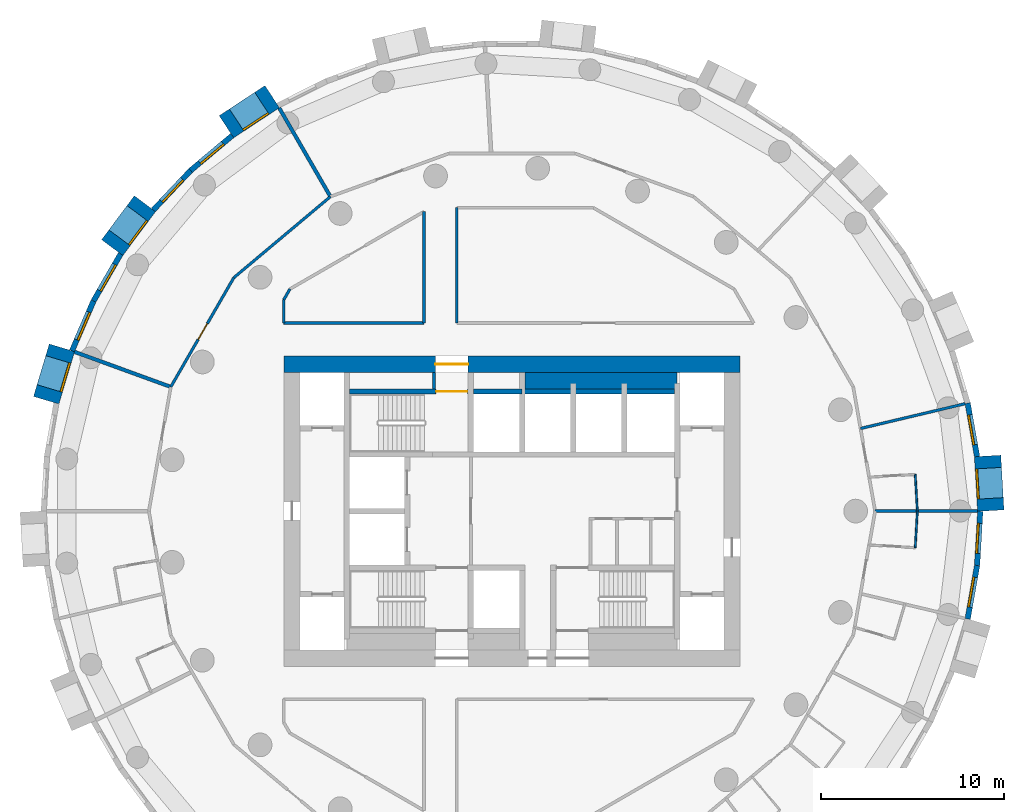
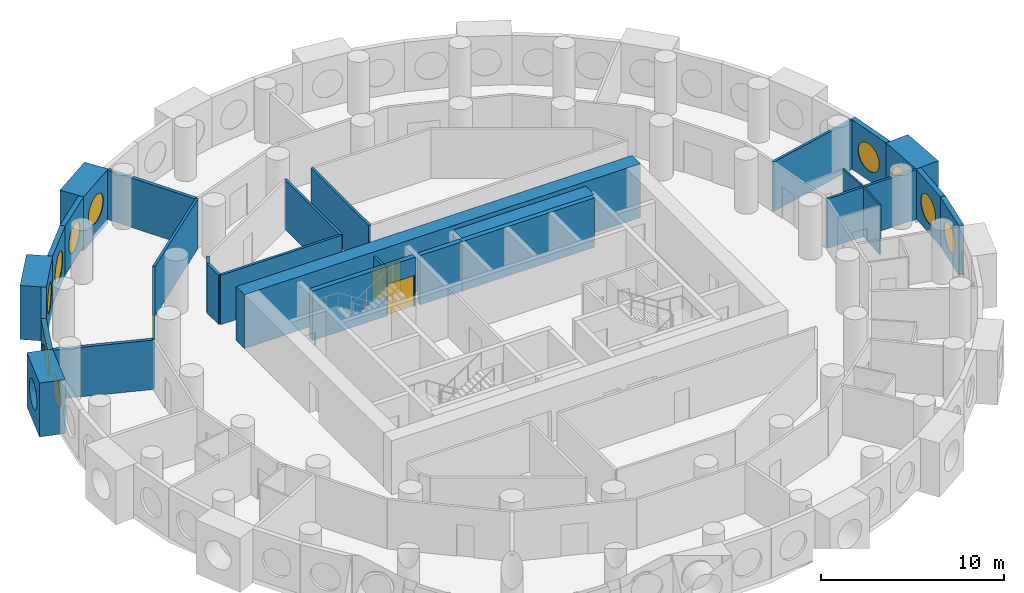
# One storey, part 6 of 9: 31 walls, 11 windows, 3 doors, 14 openings.
"""IFC4 building model written with IfcOpenShell, lengths in metres."""

from ifc_helpers import new_model, si_unit, direction, frame, frame_2d, origin, origin_2d, place, context, subcontext, project, spatial, rectangle, circle, extrude, material, layer, layer_set, type_object, element, fill, save


model = new_model("IFC4")

# Units and contexts
model_context = context("Model", 3, precision=1e-05, world=origin(), true_north=direction((0.0, 1.0)))
body_context = subcontext(model_context, "Body", "Model", "MODEL_VIEW")
ifc_project = project(units=[si_unit("LENGTHUNIT", "METRE"), si_unit("AREAUNIT", "SQUARE_METRE"), si_unit("VOLUMEUNIT", "CUBIC_METRE"), si_unit("PLANEANGLEUNIT", "RADIAN"), si_unit("MASSUNIT", "GRAM", prefix="KILO")], contexts=[model_context])

# Site, building, storey
site_placement = place(None, origin())
site = spatial("IfcSite", under=ifc_project, at=site_placement, CompositionType="ELEMENT")
building_placement = place(site_placement, origin())
building = spatial("IfcBuilding", under=site, at=building_placement, Name="Tracery Tower", CompositionType="ELEMENT")
storey_placement = place(building_placement, frame((0.0, 0.0, 198.0)))
storey = spatial("IfcBuildingStorey", under=building, at=storey_placement, Name="L51", CompositionType="ELEMENT", Elevation=198.0)

# Walls
ifc_material_1 = material(Name="Plasterboard on steel studs", Category="steel")
ifc_layer_1 = layer(ifc_material_1, 0.14990234375)
ifc_layer_set_1 = layer_set([ifc_layer_1], Name="Core room partition 150")
wall_type_1 = type_object("IfcWallType", Name="Core room partition 150", PredefinedType="SOLIDWALL", material=ifc_layer_set_1)
wall_1_placement = place(storey_placement, frame((-4.27490234375, 6.699951171875, 0.0), z_axis=(0.0, 0.0, 1.0), x_axis=(0.0, 1.0, 0.0)))
element("IfcWall", 1, at=wall_1_placement, inside=storey, type_object=wall_type_1, Name="L51 F N room", PredefinedType="SOLIDWALL", context=body_context, shape_type="SweptSolid", body=[
    extrude(rectangle(XDim=0.900146484375, YDim=0.14990234375, at=frame_2d((0.4501953125, 0.0))), origin(), (0.0, 0.0, 1.0), 3.300048828125),
])
ifc_material_2 = material(Name="Concrete C50/60", Category="concrete")
ifc_layer_2 = layer(ifc_material_2, 0.89990234375)
ifc_layer_set_2 = layer_set([ifc_layer_2], Name="Core strip wall 900 C50")
wall_type_2 = type_object("IfcWallType", Name="Core strip wall 900 C50", PredefinedType="SOLIDWALL", material=ifc_layer_set_2)
wall_2_placement = place(storey_placement, frame((0.699951171875, 7.14990234375, 0.0), z_axis=(0.0, 0.0, 1.0), x_axis=(1.0, 0.0, 0.0)))
element("IfcWall", 2, at=wall_2_placement, inside=storey, type_object=wall_type_2, Name="L51 F thick N E", PredefinedType="SOLIDWALL", context=body_context, shape_type="SweptSolid", body=[
    extrude(rectangle(XDim=8.35009765625, YDim=0.89990234375, at=frame_2d((4.175048828125, 0.0))), origin(), (0.0, 0.0, 1.0), 3.300048828125),
])

# Wall, opening, door
ifc_material_3 = material(Name="Concrete C50/60", Category="concrete")
ifc_layer_3 = layer(ifc_material_3, 0.89990234375)
ifc_layer_set_3 = layer_set([ifc_layer_3], Name="Core wall 900 C50")
wall_type_3 = type_object("IfcWallType", Name="Core wall 900 C50", PredefinedType="SOLIDWALL", material=ifc_layer_set_3)
wall_3_placement = place(storey_placement, frame((-12.5, 8.050048828125, 0.0), z_axis=(0.0, 0.0, 1.0), x_axis=(1.0, 0.0, 0.0)))
wall_3 = element("IfcWall", 3, at=wall_3_placement, inside=storey, type_object=wall_type_3, Name="L51 outer N", PredefinedType="SOLIDWALL", context=body_context, shape_type="SweptSolid", body=[
    extrude(rectangle(XDim=25.0, YDim=0.89990234375, at=frame_2d((12.5, 0.0))), origin(), (0.0, 0.0, 1.0), 3.60009765625),
])
opening_1_placement = place(wall_3_placement, frame((8.300048828125, 0.0, 0.0)))
opening_1 = element("IfcOpeningElement", 4, at=opening_1_placement, cuts=wall_3, Name="Opening KD13", PredefinedType="OPENING", context=body_context, shape_type="SweptSolid", body=[
    extrude(rectangle(XDim=1.800048828125, YDim=2.10009765625, at=frame_2d((0.89990234375, 1.050048828125))), frame((0.0, 0.449951171875, 0.0), z_axis=(0.0, -1.0, 0.0), x_axis=(1.0, 0.0, 0.0)), (0.0, 0.0, 1.0), 0.89990234375),
])
ifc_material_4 = material(Name="Steel fire door", Category="steel")
door_type_1 = type_object("IfcDoorType", Name="Core exit door 1800 double", OperationType="NOTDEFINED", PredefinedType="DOOR", material=ifc_material_4)
door_1_placement = place(opening_1_placement, origin())
door_1 = element("IfcDoor", 5, at=door_1_placement, inside=storey, type_object=door_type_1, Name="Core exit door", OperationType="DOUBLE_DOOR_SINGLE_SWING", OverallHeight=2.10009765625, OverallWidth=1.800048828125, PredefinedType="DOOR", context=body_context, shape_type="SweptSolid", body=[
    extrude(rectangle(XDim=1.800048828125, YDim=2.10009765625, at=frame_2d((0.89990234375, 1.050048828125))), frame((0.0, 0.02490234375, 0.0), z_axis=(0.0, -1.0, 0.0), x_axis=(1.0, 0.0, 0.0)), (0.0, 0.0, 1.0), 0.050048828125),
])
fill(opening_1, door_1)

# Wall, opening, window
ifc_material_5 = material(Name="Precast concrete C50/60", Category="concrete")
ifc_layer_4 = layer(ifc_material_5, 1.449951171875)
ifc_layer_set_4 = layer_set([ifc_layer_4], Name="Deep-set bay unit 3000 x 3600, slab edge 300")
wall_type_4 = type_object("IfcWallType", Name="Deep-set bay unit 3000 x 3600, slab edge 300", PredefinedType="ELEMENTEDWALL", material=ifc_layer_set_4)
wall_4_placement = place(storey_placement, frame((26.221923828125, 0.024658203125, -0.300048828125), z_axis=(0.0, 0.0, 1.0), x_axis=(-0.058106596105, 0.998310384344, 0.0)))
wall_4 = element("IfcWall", 6, at=wall_4_placement, inside=storey, type_object=wall_type_4, Name="Deep-set bay unit 1 at L51", PredefinedType="ELEMENTEDWALL", context=body_context, shape_type="SweptSolid", body=[
    extrude(rectangle(XDim=3.0, YDim=1.449951171875, at=frame_2d((1.5, 0.0))), origin(), (0.0, 0.0, 1.0), 3.60009765625),
])
opening_2_placement = place(wall_4_placement, frame((1.5, 0.0, 1.85009765625)))
opening_2 = element("IfcOpeningElement", 7, at=opening_2_placement, cuts=wall_4, Name="Opening WN1", PredefinedType="OPENING", context=body_context, shape_type="SweptSolid", body=[
    extrude(circle(Radius=0.9000244140625, at=origin_2d()), frame((0.0, 0.73486328125, 0.0), z_axis=(0.0, -1.0, 0.0), x_axis=(1.0, 0.0, 0.0)), (0.0, 0.0, 1.0), 1.469970703125),
])
ifc_material_6 = material(Name="Aluminium frame with tinted double glazing", Category="aluminium")
window_type = type_object("IfcWindowType", Name="Round window 1800", PartitioningType="SINGLE_PANEL", PredefinedType="WINDOW", material=ifc_material_6)
window_1_placement = place(opening_2_placement, origin())
window_1 = element("IfcWindow", 8, at=window_1_placement, inside=storey, type_object=window_type, Name="Round window 1 at L51", OverallHeight=1.800048828125, OverallWidth=1.800048828125, PartitioningType="SINGLE_PANEL", PredefinedType="WINDOW", context=body_context, shape_type="SweptSolid", body=[
    extrude(circle(Radius=0.9000244140625, at=origin_2d()), frame((0.0, 0.69482421875, 0.0), z_axis=(0.0, -1.0, 0.0), x_axis=(1.0, 0.0, 0.0)), (0.0, 0.0, 1.0), 0.10009765625),
])
fill(opening_2, window_1)

wall_5_placement = place(storey_placement, frame((-13.13232421875, 22.696533203125, -0.300048828125), z_axis=(0.0, 0.0, 1.0), x_axis=(-0.835514416706, -0.549468524554, 0.0)))
wall_5 = element("IfcWall", 9, at=wall_5_placement, inside=storey, type_object=wall_type_4, Name="Deep-set bay unit 19 at L51", PredefinedType="ELEMENTEDWALL", context=body_context, shape_type="SweptSolid", body=[
    extrude(rectangle(XDim=3.0, YDim=1.449951171875, at=frame_2d((1.5, 0.0))), origin(), (0.0, 0.0, 1.0), 3.60009765625),
])
opening_3_placement = place(wall_5_placement, frame((1.5, 0.0, 1.85009765625)))
opening_3 = element("IfcOpeningElement", 10, at=opening_3_placement, cuts=wall_5, Name="Opening WN1", PredefinedType="OPENING", context=body_context, shape_type="SweptSolid", body=[
    extrude(circle(Radius=0.9000244140625, at=origin_2d()), frame((0.0, 0.73486328125, 0.0), z_axis=(0.0, -1.0, 0.0), x_axis=(1.0, 0.0, 0.0)), (0.0, 0.0, 1.0), 1.469970703125),
])
window_2_placement = place(opening_3_placement, origin())
window_2 = element("IfcWindow", 11, at=window_2_placement, inside=storey, type_object=window_type, Name="Round window 19 at L51", OverallHeight=1.800048828125, OverallWidth=1.800048828125, PartitioningType="SINGLE_PANEL", PredefinedType="WINDOW", context=body_context, shape_type="SweptSolid", body=[
    extrude(circle(Radius=0.9000244140625, at=origin_2d()), frame((0.0, 0.69482421875, 0.0), z_axis=(0.0, -1.0, 0.0), x_axis=(1.0, 0.0, 0.0)), (0.0, 0.0, 1.0), 0.10009765625),
])
fill(opening_3, window_2)

wall_6_placement = place(storey_placement, frame((-20.10302734375, 16.836181640625, -0.300048828125), z_axis=(0.0, 0.0, 1.0), x_axis=(-0.597183717734, -0.802104486506, 0.0)))
wall_6 = element("IfcWall", 12, at=wall_6_placement, inside=storey, type_object=wall_type_4, Name="Deep-set bay unit 22 at L51", PredefinedType="ELEMENTEDWALL", context=body_context, shape_type="SweptSolid", body=[
    extrude(rectangle(XDim=3.0, YDim=1.449951171875, at=frame_2d((1.5, 0.0))), origin(), (0.0, 0.0, 1.0), 3.60009765625),
])
opening_4_placement = place(wall_6_placement, frame((1.5, 0.0, 1.85009765625)))
opening_4 = element("IfcOpeningElement", 13, at=opening_4_placement, cuts=wall_6, Name="Opening WN1", PredefinedType="OPENING", context=body_context, shape_type="SweptSolid", body=[
    extrude(circle(Radius=0.9000244140625, at=origin_2d()), frame((0.0, 0.73486328125, 0.0), z_axis=(0.0, -1.0, 0.0), x_axis=(1.0, 0.0, 0.0)), (0.0, 0.0, 1.0), 1.469970703125),
])
window_3_placement = place(opening_4_placement, origin())
window_3 = element("IfcWindow", 14, at=window_3_placement, inside=storey, type_object=window_type, Name="Round window 22 at L51", OverallHeight=1.800048828125, OverallWidth=1.800048828125, PartitioningType="SINGLE_PANEL", PredefinedType="WINDOW", context=body_context, shape_type="SweptSolid", body=[
    extrude(circle(Radius=0.9000244140625, at=origin_2d()), frame((0.0, 0.69482421875, 0.0), z_axis=(0.0, -1.0, 0.0), x_axis=(1.0, 0.0, 0.0)), (0.0, 0.0, 1.0), 0.10009765625),
])
fill(opening_4, window_3)

wall_7_placement = place(storey_placement, frame((-24.649169921875, 8.9453125, -0.300048828125), z_axis=(0.0, 0.0, 1.0), x_axis=(-0.286780420304, -0.957996341606, 0.0)))
wall_7 = element("IfcWall", 15, at=wall_7_placement, inside=storey, type_object=wall_type_4, Name="Deep-set bay unit 25 at L51", PredefinedType="ELEMENTEDWALL", context=body_context, shape_type="SweptSolid", body=[
    extrude(rectangle(XDim=3.0, YDim=1.449951171875, at=frame_2d((1.5, 0.0))), origin(), (0.0, 0.0, 1.0), 3.60009765625),
])
opening_5_placement = place(wall_7_placement, frame((1.5, 0.0, 1.85009765625)))
opening_5 = element("IfcOpeningElement", 16, at=opening_5_placement, cuts=wall_7, Name="Opening WN1", PredefinedType="OPENING", context=body_context, shape_type="SweptSolid", body=[
    extrude(circle(Radius=0.9000244140625, at=origin_2d()), frame((0.0, 0.73486328125, 0.0), z_axis=(0.0, -1.0, 0.0), x_axis=(1.0, 0.0, 0.0)), (0.0, 0.0, 1.0), 1.469970703125),
])
window_4_placement = place(opening_5_placement, origin())
window_4 = element("IfcWindow", 17, at=window_4_placement, inside=storey, type_object=window_type, Name="Round window 25 at L51", OverallHeight=1.800048828125, OverallWidth=1.800048828125, PartitioningType="SINGLE_PANEL", PredefinedType="WINDOW", context=body_context, shape_type="SweptSolid", body=[
    extrude(circle(Radius=0.9000244140625, at=origin_2d()), frame((0.0, 0.69482421875, 0.0), z_axis=(0.0, -1.0, 0.0), x_axis=(1.0, 0.0, 0.0)), (0.0, 0.0, 1.0), 0.10009765625),
])
fill(opening_5, window_4)

ifc_material_7 = material(Name="Precast concrete C50/60", Category="concrete")
ifc_layer_5 = layer(ifc_material_7, 0.300048828125)
ifc_layer_set_5 = layer_set([ifc_layer_5], Name="Facade panel 3000 x 3300")
wall_type_5 = type_object("IfcWallType", Name="Facade panel 3000 x 3300", PredefinedType="SOLIDWALL", material=ifc_layer_set_5)
wall_8_placement = place(storey_placement, frame((25.472412109375, 2.987060546875, 0.0), z_axis=(0.0, 0.0, 1.0), x_axis=(-0.173686952598, 0.984800915159, 0.0)))
wall_8 = element("IfcWall", 18, at=wall_8_placement, inside=storey, type_object=wall_type_5, Name="Facade panel 2 at L51", PredefinedType="SOLIDWALL", context=body_context, shape_type="SweptSolid", body=[
    extrude(rectangle(XDim=2.972900390625, YDim=0.300048828125, at=frame_2d((1.486328125, 0.0))), origin(), (0.0, 0.0, 1.0), 3.300048828125),
])
opening_6_placement = place(wall_8_placement, frame((1.486328125, 0.0, 1.5498046875)))
opening_6 = element("IfcOpeningElement", 19, at=opening_6_placement, cuts=wall_8, Name="Opening WN1", PredefinedType="OPENING", context=body_context, shape_type="SweptSolid", body=[
    extrude(circle(Radius=0.9000244140625, at=origin_2d()), frame((0.0, 0.159912109375, 0.0), z_axis=(0.0, -1.0, 0.0), x_axis=(1.0, 0.0, 0.0)), (0.0, 0.0, 1.0), 0.320068359375),
])
window_5_placement = place(opening_6_placement, origin())
window_5 = element("IfcWindow", 20, at=window_5_placement, inside=storey, type_object=window_type, Name="Round window 2 at L51", OverallHeight=1.800048828125, OverallWidth=1.800048828125, PartitioningType="SINGLE_PANEL", PredefinedType="WINDOW", context=body_context, shape_type="SweptSolid", body=[
    extrude(circle(Radius=0.9000244140625, at=origin_2d()), frame((0.0, 0.1201171875, 0.0), z_axis=(0.0, -1.0, 0.0), x_axis=(1.0, 0.0, 0.0)), (0.0, 0.0, 1.0), 0.10009765625),
])
fill(opening_6, window_5)

wall_9_placement = place(storey_placement, frame((-15.322998046875, 20.566162109375, 0.0), z_axis=(0.0, 0.0, 1.0), x_axis=(-0.766049350637, -0.642781761089, 0.0)))
wall_9 = element("IfcWall", 21, at=wall_9_placement, inside=storey, type_object=wall_type_5, Name="Facade panel 20 at L51", PredefinedType="SOLIDWALL", context=body_context, shape_type="SweptSolid", body=[
    extrude(rectangle(XDim=2.972900390625, YDim=0.300048828125, at=frame_2d((1.486328125, 0.0))), origin(), (0.0, 0.0, 1.0), 3.300048828125),
])
opening_7_placement = place(wall_9_placement, frame((1.486328125, 0.0, 1.5498046875)))
opening_7 = element("IfcOpeningElement", 22, at=opening_7_placement, cuts=wall_9, Name="Opening WN1", PredefinedType="OPENING", context=body_context, shape_type="SweptSolid", body=[
    extrude(circle(Radius=0.9000244140625, at=origin_2d()), frame((0.0, 0.159912109375, 0.0), z_axis=(0.0, -1.0, 0.0), x_axis=(1.0, 0.0, 0.0)), (0.0, 0.0, 1.0), 0.320068359375),
])
window_6_placement = place(opening_7_placement, origin())
window_6 = element("IfcWindow", 23, at=window_6_placement, inside=storey, type_object=window_type, Name="Round window 20 at L51", OverallHeight=1.800048828125, OverallWidth=1.800048828125, PartitioningType="SINGLE_PANEL", PredefinedType="WINDOW", context=body_context, shape_type="SweptSolid", body=[
    extrude(circle(Radius=0.9000244140625, at=origin_2d()), frame((0.0, 0.1201171875, 0.0), z_axis=(0.0, -1.0, 0.0), x_axis=(1.0, 0.0, 0.0)), (0.0, 0.0, 1.0), 0.10009765625),
])
fill(opening_7, window_6)

wall_10_placement = place(storey_placement, frame((-17.600341796875, 18.6552734375, 0.0), z_axis=(0.0, 0.0, 1.0), x_axis=(-0.686235184166, -0.727379730273, 0.0)))
wall_10 = element("IfcWall", 24, at=wall_10_placement, inside=storey, type_object=wall_type_5, Name="Facade panel 21 at L51", PredefinedType="SOLIDWALL", context=body_context, shape_type="SweptSolid", body=[
    extrude(rectangle(XDim=2.972900390625, YDim=0.300048828125, at=frame_2d((1.486328125, 0.0))), origin(), (0.0, 0.0, 1.0), 3.300048828125),
])
opening_8_placement = place(wall_10_placement, frame((1.486328125, 0.0, 1.5498046875)))
opening_8 = element("IfcOpeningElement", 25, at=opening_8_placement, cuts=wall_10, Name="Opening WN1", PredefinedType="OPENING", context=body_context, shape_type="SweptSolid", body=[
    extrude(circle(Radius=0.9000244140625, at=origin_2d()), frame((0.0, 0.159912109375, 0.0), z_axis=(0.0, -1.0, 0.0), x_axis=(1.0, 0.0, 0.0)), (0.0, 0.0, 1.0), 0.320068359375),
])
window_7_placement = place(opening_8_placement, origin())
window_7 = element("IfcWindow", 26, at=window_7_placement, inside=storey, type_object=window_type, Name="Round window 21 at L51", OverallHeight=1.800048828125, OverallWidth=1.800048828125, PartitioningType="SINGLE_PANEL", PredefinedType="WINDOW", context=body_context, shape_type="SweptSolid", body=[
    extrude(circle(Radius=0.9000244140625, at=origin_2d()), frame((0.0, 0.1201171875, 0.0), z_axis=(0.0, -1.0, 0.0), x_axis=(1.0, 0.0, 0.0)), (0.0, 0.0, 1.0), 0.10009765625),
])
fill(opening_8, window_7)

wall_11_placement = place(storey_placement, frame((-21.432861328125, 14.085205078125, 0.0), z_axis=(0.0, 0.0, 1.0), x_axis=(-0.500016263033, -0.866016014115, 0.0)))
wall_11 = element("IfcWall", 27, at=wall_11_placement, inside=storey, type_object=wall_type_5, Name="Facade panel 23 at L51", PredefinedType="SOLIDWALL", context=body_context, shape_type="SweptSolid", body=[
    extrude(rectangle(XDim=2.97314453125, YDim=0.300048828125, at=frame_2d((1.486572265625, 0.0))), origin(), (0.0, 0.0, 1.0), 3.300048828125),
])
opening_9_placement = place(wall_11_placement, frame((1.486328125, 0.0, 1.5498046875)))
opening_9 = element("IfcOpeningElement", 28, at=opening_9_placement, cuts=wall_11, Name="Opening WN1", PredefinedType="OPENING", context=body_context, shape_type="SweptSolid", body=[
    extrude(circle(Radius=0.9000244140625, at=origin_2d()), frame((0.0, 0.159912109375, 0.0), z_axis=(0.0, -1.0, 0.0), x_axis=(1.0, 0.0, 0.0)), (0.0, 0.0, 1.0), 0.320068359375),
])
window_8_placement = place(opening_9_placement, origin())
window_8 = element("IfcWindow", 29, at=window_8_placement, inside=storey, type_object=window_type, Name="Round window 23 at L51", OverallHeight=1.800048828125, OverallWidth=1.800048828125, PartitioningType="SINGLE_PANEL", PredefinedType="WINDOW", context=body_context, shape_type="SweptSolid", body=[
    extrude(circle(Radius=0.9000244140625, at=origin_2d()), frame((0.0, 0.1201171875, 0.0), z_axis=(0.0, -1.0, 0.0), x_axis=(1.0, 0.0, 0.0)), (0.0, 0.0, 1.0), 0.10009765625),
])
fill(opening_9, window_8)

wall_12_placement = place(storey_placement, frame((-22.91943359375, 11.510498046875, 0.0), z_axis=(0.0, 0.0, 1.0), x_axis=(-0.396078892785, -0.918216483565, 0.0)))
wall_12 = element("IfcWall", 30, at=wall_12_placement, inside=storey, type_object=wall_type_5, Name="Facade panel 24 at L51", PredefinedType="SOLIDWALL", context=body_context, shape_type="SweptSolid", body=[
    extrude(rectangle(XDim=2.972900390625, YDim=0.300048828125, at=frame_2d((1.486328125, 0.0))), origin(), (0.0, 0.0, 1.0), 3.300048828125),
])
opening_10_placement = place(wall_12_placement, frame((1.486328125, 0.0, 1.5498046875)))
opening_10 = element("IfcOpeningElement", 31, at=opening_10_placement, cuts=wall_12, Name="Opening WN1", PredefinedType="OPENING", context=body_context, shape_type="SweptSolid", body=[
    extrude(circle(Radius=0.9000244140625, at=origin_2d()), frame((0.0, 0.159912109375, 0.0), z_axis=(0.0, -1.0, 0.0), x_axis=(1.0, 0.0, 0.0)), (0.0, 0.0, 1.0), 0.320068359375),
])
window_9_placement = place(opening_10_placement, origin())
window_9 = element("IfcWindow", 32, at=window_9_placement, inside=storey, type_object=window_type, Name="Round window 24 at L51", OverallHeight=1.800048828125, OverallWidth=1.800048828125, PartitioningType="SINGLE_PANEL", PredefinedType="WINDOW", context=body_context, shape_type="SweptSolid", body=[
    extrude(circle(Radius=0.9000244140625, at=origin_2d()), frame((0.0, 0.1201171875, 0.0), z_axis=(0.0, -1.0, 0.0), x_axis=(1.0, 0.0, 0.0)), (0.0, 0.0, 1.0), 0.10009765625),
])
fill(opening_10, window_9)

wall_13_placement = place(storey_placement, frame((24.957763671875, -5.9052734375, 0.0), z_axis=(0.0, 0.0, 1.0), x_axis=(0.173686952598, 0.984800915159, 0.0)))
wall_13 = element("IfcWall", 33, at=wall_13_placement, inside=storey, type_object=wall_type_5, Name="Facade panel 53 at L51", PredefinedType="SOLIDWALL", context=body_context, shape_type="SweptSolid", body=[
    extrude(rectangle(XDim=2.972900390625, YDim=0.300048828125, at=frame_2d((1.486328125, 0.0))), origin(), (0.0, 0.0, 1.0), 3.300048828125),
])
opening_11_placement = place(wall_13_placement, frame((1.486328125, 0.0, 1.5498046875)))
opening_11 = element("IfcOpeningElement", 34, at=opening_11_placement, cuts=wall_13, Name="Opening WN1", PredefinedType="OPENING", context=body_context, shape_type="SweptSolid", body=[
    extrude(circle(Radius=0.9000244140625, at=origin_2d()), frame((0.0, 0.159912109375, 0.0), z_axis=(0.0, -1.0, 0.0), x_axis=(1.0, 0.0, 0.0)), (0.0, 0.0, 1.0), 0.320068359375),
])
window_10_placement = place(opening_11_placement, origin())
window_10 = element("IfcWindow", 35, at=window_10_placement, inside=storey, type_object=window_type, Name="Round window 53 at L51", OverallHeight=1.800048828125, OverallWidth=1.800048828125, PartitioningType="SINGLE_PANEL", PredefinedType="WINDOW", context=body_context, shape_type="SweptSolid", body=[
    extrude(circle(Radius=0.9000244140625, at=origin_2d()), frame((0.0, 0.1201171875, 0.0), z_axis=(0.0, -1.0, 0.0), x_axis=(1.0, 0.0, 0.0)), (0.0, 0.0, 1.0), 0.10009765625),
])
fill(opening_11, window_10)

wall_14_placement = place(storey_placement, frame((25.47412109375, -2.9775390625, 0.0), z_axis=(0.0, 0.0, 1.0), x_axis=(0.058139540521, 0.998308466271, 0.0)))
wall_14 = element("IfcWall", 36, at=wall_14_placement, inside=storey, type_object=wall_type_5, Name="Facade panel 54 at L51", PredefinedType="SOLIDWALL", context=body_context, shape_type="SweptSolid", body=[
    extrude(rectangle(XDim=2.97314453125, YDim=0.300048828125, at=frame_2d((1.486572265625, 0.0))), origin(), (0.0, 0.0, 1.0), 3.300048828125),
])
opening_12_placement = place(wall_14_placement, frame((1.486328125, 0.0, 1.5498046875)))
opening_12 = element("IfcOpeningElement", 37, at=opening_12_placement, cuts=wall_14, Name="Opening WN1", PredefinedType="OPENING", context=body_context, shape_type="SweptSolid", body=[
    extrude(circle(Radius=0.9000244140625, at=origin_2d()), frame((0.0, 0.159912109375, 0.0), z_axis=(0.0, -1.0, 0.0), x_axis=(1.0, 0.0, 0.0)), (0.0, 0.0, 1.0), 0.320068359375),
])
window_11_placement = place(opening_12_placement, origin())
window_11 = element("IfcWindow", 38, at=window_11_placement, inside=storey, type_object=window_type, Name="Round window 54 at L51", OverallHeight=1.800048828125, OverallWidth=1.800048828125, PartitioningType="SINGLE_PANEL", PredefinedType="WINDOW", context=body_context, shape_type="SweptSolid", body=[
    extrude(circle(Radius=0.9000244140625, at=origin_2d()), frame((0.0, 0.1201171875, 0.0), z_axis=(0.0, -1.0, 0.0), x_axis=(1.0, 0.0, 0.0)), (0.0, 0.0, 1.0), 0.10009765625),
])
fill(opening_12, window_11)

# Walls
ifc_material_8 = material(Name="Plasterboard on steel studs", Category="steel")
ifc_layer_6 = layer(ifc_material_8, 0.10009765625)
ifc_layer_set_6 = layer_set([ifc_layer_6], Name="Partition 100 wet wall")
wall_type_6 = type_object("IfcWallType", Name="Partition 100 wet wall", PredefinedType="PARTITIONING", material=ifc_layer_set_6)
for number, where, z_axis, x_axis, name in (
    (39, (22.083984375, 2.0048828125, 0.0), (0.0, 0.0, 1.0), (0.058230299749, -0.998303176491, 0.0), "Wet wall RB7-040"),
    (40, (22.083984375, -2.0048828125, 0.0), (0.0, 0.0, 1.0), (0.058230299749, 0.998303176491, 0.0), "Wet wall RB7-068"),
):
    element("IfcWall", number, at=place(storey_placement, frame(where, z_axis=z_axis, x_axis=x_axis)), inside=storey, type_object=wall_type_6, Name=name, PredefinedType="PARTITIONING", context=body_context, shape_type="SweptSolid", body=[
        extrude(rectangle(XDim=2.00830078125, YDim=0.10009765625, at=frame_2d((1.004150390625, 0.0))), origin(), (0.0, 0.0, 1.0), 3.300048828125),
    ])
ifc_material_9 = material(Name="Plasterboard on steel studs", Category="steel")
ifc_layer_7 = layer(ifc_material_9, 0.14990234375)
ifc_layer_set_7 = layer_set([ifc_layer_7], Name="Partition 150 acoustic unit wall")
wall_type_7 = type_object("IfcWallType", Name="Partition 150 acoustic unit wall", PredefinedType="PARTITIONING", material=ifc_layer_set_7)
wall_15_placement = place(storey_placement, frame((19.090087890625, 4.52392578125, 0.0), z_axis=(0.0, 0.0, 1.0), x_axis=(0.973033452951, 0.230664040193, 0.0)))
element("IfcWall", 41, at=wall_15_placement, inside=storey, type_object=wall_type_7, Name="Unit wall RB7-042", PredefinedType="PARTITIONING", context=body_context, shape_type="SweptSolid", body=[
    extrude(rectangle(XDim=5.87841796875, YDim=0.14990234375, at=frame_2d((2.939208984375, 0.0))), origin(), (0.0, 0.0, 1.0), 3.300048828125),
])
wall_16_placement = place(storey_placement, frame((19.887939453125, 0.0, 0.0), z_axis=(0.0, 0.0, 1.0), x_axis=(1.0, 0.0, 0.0)))
element("IfcWall", 42, at=wall_16_placement, inside=storey, type_object=wall_type_7, Name="Unit wall RB7-043", PredefinedType="PARTITIONING", context=body_context, shape_type="SweptSolid", body=[
    extrude(rectangle(XDim=5.609130859375, YDim=0.14990234375, at=frame_2d((2.8046875, 0.0))), origin(), (0.0, 0.0, 1.0), 3.300048828125),
])
ifc_material_10 = material(Name="Plasterboard on steel studs", Category="steel")
ifc_layer_8 = layer(ifc_material_10, 0.14990234375)
ifc_layer_set_8 = layer_set([ifc_layer_8], Name="Partition 150 corridor wall")
wall_type_8 = type_object("IfcWallType", Name="Partition 150 corridor wall", PredefinedType="PARTITIONING", material=ifc_layer_set_8)
wall_17_placement = place(storey_placement, frame((-12.50390625, 10.300048828125, 0.0), z_axis=(0.0, 0.0, 1.0), x_axis=(1.0, 0.0, 0.0)))
element("IfcWall", 43, at=wall_17_placement, inside=storey, type_object=wall_type_8, Name="Corridor wall RB7-001", PredefinedType="PARTITIONING", context=body_context, shape_type="SweptSolid", body=[
    extrude(rectangle(XDim=7.68701171875, YDim=0.14990234375, at=frame_2d((3.843505859375, 0.0))), origin(), (0.0, 0.0, 1.0), 3.300048828125),
])
wall_18_placement = place(storey_placement, frame((-4.821044921875, 10.300048828125, 0.0), z_axis=(0.0, 0.0, 1.0), x_axis=(0.0, 1.0, 0.0)))
element("IfcWall", 44, at=wall_18_placement, inside=storey, type_object=wall_type_8, Name="Corridor wall RB7-014", PredefinedType="PARTITIONING", context=body_context, shape_type="SweptSolid", body=[
    extrude(rectangle(XDim=6.100830078125, YDim=0.14990234375, at=frame_2d((3.05029296875, 0.0))), origin(), (0.0, 0.0, 1.0), 3.300048828125),
])
wall_19_placement = place(storey_placement, frame((-3.02099609375, 10.300048828125, 0.0), z_axis=(0.0, 0.0, 1.0), x_axis=(0.0, 1.0, 0.0)))
element("IfcWall", 45, at=wall_19_placement, inside=storey, type_object=wall_type_8, Name="Corridor wall RB7-018", PredefinedType="PARTITIONING", context=body_context, shape_type="SweptSolid", body=[
    extrude(rectangle(XDim=6.31396484375, YDim=0.14990234375, at=frame_2d((3.156982421875, 0.0))), origin(), (0.0, 0.0, 1.0), 3.300048828125),
])
wall_20_placement = place(storey_placement, frame((-15.23486328125, 12.78369140625, 0.0), z_axis=(0.0, 0.0, 1.0), x_axis=(0.766064078986, 0.642764207845, 0.0)))
element("IfcWall", 46, at=wall_20_placement, inside=storey, type_object=wall_type_8, Name="Corridor wall RB7-022", PredefinedType="PARTITIONING", context=body_context, shape_type="SweptSolid", body=[
    extrude(rectangle(XDim=6.906494140625, YDim=0.14990234375, at=frame_2d((3.453125, 0.0))), origin(), (0.0, 0.0, 1.0), 3.300048828125),
])
wall_21_placement = place(storey_placement, frame((-12.5, 11.576904296875, 0.0), z_axis=(0.0, 0.0, 1.0), x_axis=(0.500024767483, 0.866011103799, 0.0)))
element("IfcWall", 47, at=wall_21_placement, inside=storey, type_object=wall_type_8, Name="Corridor wall RB7-023", PredefinedType="PARTITIONING", context=body_context, shape_type="SweptSolid", body=[
    extrude(rectangle(XDim=0.67578125, YDim=0.14990234375, at=frame_2d((0.337890625, 0.0))), origin(), (0.0, 0.0, 1.0), 3.300048828125),
])
wall_22_placement = place(storey_placement, frame((-12.5, 10.300048828125, 0.0), z_axis=(0.0, 0.0, 1.0), x_axis=(0.0, 1.0, 0.0)))
element("IfcWall", 48, at=wall_22_placement, inside=storey, type_object=wall_type_8, Name="Corridor wall RB7-024", PredefinedType="PARTITIONING", context=body_context, shape_type="SweptSolid", body=[
    extrude(rectangle(XDim=1.27685546875, YDim=0.14990234375, at=frame_2d((0.638427734375, 0.0))), origin(), (0.0, 0.0, 1.0), 3.300048828125),
])

# Wall, opening, door
wall_23_placement = place(storey_placement, frame((-18.68798828125, 6.802001953125, 0.0), z_axis=(0.0, 0.0, 1.0), x_axis=(0.499914202267, 0.866074933462, 0.0)))
wall_23 = element("IfcWall", 49, at=wall_23_placement, inside=storey, type_object=wall_type_8, Name="Corridor wall RB7-027", PredefinedType="PARTITIONING", context=body_context, shape_type="SweptSolid", body=[
    extrude(rectangle(XDim=6.906982421875, YDim=0.14990234375, at=frame_2d((3.45361328125, 0.0))), origin(), (0.0, 0.0, 1.0), 3.300048828125),
])
opening_13_placement = place(wall_23_placement, frame((3.00390625, 0.0, 0.0)))
opening_13 = element("IfcOpeningElement", 50, at=opening_13_placement, cuts=wall_23, Name="Opening RB7-10", PredefinedType="OPENING", context=body_context, shape_type="SweptSolid", body=[
    extrude(rectangle(XDim=1.0, YDim=2.0400390625, at=frame_2d((0.5, 1.02001953125))), frame((0.0, 0.074951171875, 0.0), z_axis=(0.0, -1.0, 0.0), x_axis=(1.0, 0.0, 0.0)), (0.0, 0.0, 1.0), 0.14990234375),
])
ifc_material_11 = material(Name="Timber door leaf", Category="wood")
door_type_2 = type_object("IfcDoorType", Name="Door communal room 1000", OperationType="NOTDEFINED", PredefinedType="DOOR", material=ifc_material_11)
door_2_placement = place(opening_13_placement, origin())
door_2 = element("IfcDoor", 51, at=door_2_placement, inside=storey, type_object=door_type_2, Name="Communal room door RB7-10", OperationType="SINGLE_SWING_RIGHT", OverallHeight=2.0400390625, OverallWidth=1.0, PredefinedType="DOOR", context=body_context, shape_type="SweptSolid", body=[
    extrude(rectangle(XDim=1.0, YDim=2.0400390625, at=frame_2d((0.5, 1.02001953125))), frame((0.0, 0.02490234375, 0.0), z_axis=(0.0, -1.0, 0.0), x_axis=(1.0, 0.0, 0.0)), (0.0, 0.0, 1.0), 0.050048828125),
])
fill(opening_13, door_2)

# Walls
ifc_material_12 = material(Name="Plasterboard on steel studs", Category="steel")
ifc_layer_9 = layer(ifc_material_12, 0.199951171875)
ifc_layer_set_9 = layer_set([ifc_layer_9], Name="Partition 200 compartment wall")
wall_type_9 = type_object("IfcWallType", Name="Partition 200 compartment wall", PredefinedType="PARTITIONING", material=ifc_layer_set_9)
wall_24_placement = place(storey_placement, frame((-12.7490234375, 22.0810546875, 0.0), z_axis=(0.0, 0.0, 1.0), x_axis=(0.500010020406, -0.866019618423, 0.0)))
element("IfcWall", 52, at=wall_24_placement, inside=storey, type_object=wall_type_9, Name="Compartment wall RB7-046", PredefinedType="PARTITIONING", context=body_context, shape_type="SweptSolid", body=[
    extrude(rectangle(XDim=5.60986328125, YDim=0.199951171875, at=frame_2d((2.804931640625, 0.0))), origin(), (0.0, 0.0, 1.0), 3.300048828125),
])
wall_25_placement = place(storey_placement, frame((-23.9599609375, 8.720947265625, 0.0), z_axis=(0.0, 0.0, 1.0), x_axis=(0.939686652043, -0.342036541866, 0.0)))
element("IfcWall", 53, at=wall_25_placement, inside=storey, type_object=wall_type_9, Name="Compartment wall RB7-047", PredefinedType="PARTITIONING", context=body_context, shape_type="SweptSolid", body=[
    extrude(rectangle(XDim=5.6103515625, YDim=0.199951171875, at=frame_2d((2.80517578125, 0.0))), origin(), (0.0, 0.0, 1.0), 3.300048828125),
])
ifc_material_13 = material(Name="Concrete C50/60", Category="concrete")
ifc_layer_10 = layer(ifc_material_13, 0.300048828125)
ifc_layer_set_10 = layer_set([ifc_layer_10], Name="Stair wall 300 C50")
wall_type_10 = type_object("IfcWallType", Name="Stair wall 300 C50", PredefinedType="SOLIDWALL", material=ifc_layer_set_10)
wall_26_placement = place(storey_placement, frame((-8.89990234375, 6.550048828125, 0.0), z_axis=(0.0, 0.0, 1.0), x_axis=(1.0, 0.0, 0.0)))
element("IfcWall", 54, at=wall_26_placement, inside=storey, type_object=wall_type_10, Name="L51 F N W", PredefinedType="SOLIDWALL", context=body_context, shape_type="SweptSolid", body=[
    extrude(rectangle(XDim=4.699951171875, YDim=0.300048828125, at=frame_2d((2.35009765625, 0.0))), origin(), (0.0, 0.0, 1.0), 3.300048828125),
])

# Wall, opening, door
wall_27_placement = place(storey_placement, frame((-4.199951171875, 6.550048828125, 0.0), z_axis=(0.0, 0.0, 1.0), x_axis=(1.0, 0.0, 0.0)))
wall_27 = element("IfcWall", 55, at=wall_27_placement, inside=storey, type_object=wall_type_10, Name="L51 F stair N", PredefinedType="SOLIDWALL", context=body_context, shape_type="SweptSolid", body=[
    extrude(rectangle(XDim=1.800048828125, YDim=0.300048828125, at=frame_2d((0.89990234375, 0.0))), origin(), (0.0, 0.0, 1.0), 3.300048828125),
])
opening_14_placement = place(wall_27_placement, frame((0.050048828125, 0.0, 0.0)))
opening_14 = element("IfcOpeningElement", 56, at=opening_14_placement, cuts=wall_27, Name="Opening KD3", PredefinedType="OPENING", context=body_context, shape_type="SweptSolid", body=[
    extrude(rectangle(XDim=1.699951171875, YDim=2.10009765625, at=frame_2d((0.85009765625, 1.050048828125))), frame((0.0, 0.14990234375, 0.0), z_axis=(0.0, -1.0, 0.0), x_axis=(1.0, 0.0, 0.0)), (0.0, 0.0, 1.0), 0.300048828125),
])
ifc_material_14 = material(Name="Steel fire door", Category="steel")
door_type_3 = type_object("IfcDoorType", Name="Core stair door 1700 double", OperationType="NOTDEFINED", PredefinedType="DOOR", material=ifc_material_14)
door_3_placement = place(opening_14_placement, origin())
door_3 = element("IfcDoor", 57, at=door_3_placement, inside=storey, type_object=door_type_3, Name="Stair door vest", OperationType="DOUBLE_DOOR_SINGLE_SWING", OverallHeight=2.10009765625, OverallWidth=1.699951171875, PredefinedType="DOOR", context=body_context, shape_type="SweptSolid", body=[
    extrude(rectangle(XDim=1.699951171875, YDim=2.10009765625, at=frame_2d((0.85009765625, 1.050048828125))), frame((0.0, 0.02490234375, 0.0), z_axis=(0.0, -1.0, 0.0), x_axis=(1.0, 0.0, 0.0)), (0.0, 0.0, 1.0), 0.050048828125),
])
fill(opening_14, door_3)

# Walls
wall_28_placement = place(storey_placement, frame((-2.10009765625, 6.550048828125, 0.0), z_axis=(0.0, 0.0, 1.0), x_axis=(1.0, 0.0, 0.0)))
element("IfcWall", 58, at=wall_28_placement, inside=storey, type_object=wall_type_10, Name="L51 F N E1", PredefinedType="SOLIDWALL", context=body_context, shape_type="SweptSolid", body=[
    extrude(rectangle(XDim=2.650146484375, YDim=0.300048828125, at=frame_2d((1.3251953125, 0.0))), origin(), (0.0, 0.0, 1.0), 3.300048828125),
])
wall_29_placement = place(storey_placement, frame((0.550048828125, 6.550048828125, 0.0), z_axis=(0.0, 0.0, 1.0), x_axis=(1.0, 0.0, 0.0)))
element("IfcWall", 59, at=wall_29_placement, inside=storey, type_object=wall_type_10, Name="L51 F stair strip N E", PredefinedType="SOLIDWALL", context=body_context, shape_type="SweptSolid", body=[
    extrude(rectangle(XDim=8.349853515625, YDim=0.300048828125, at=frame_2d((4.1748046875, 0.0))), origin(), (0.0, 0.0, 1.0), 3.300048828125),
])

save(model, "model.ifc")
